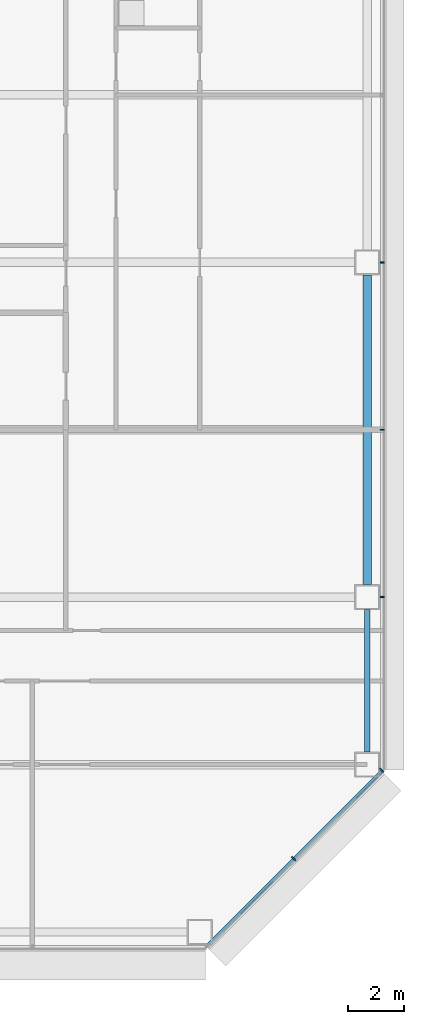
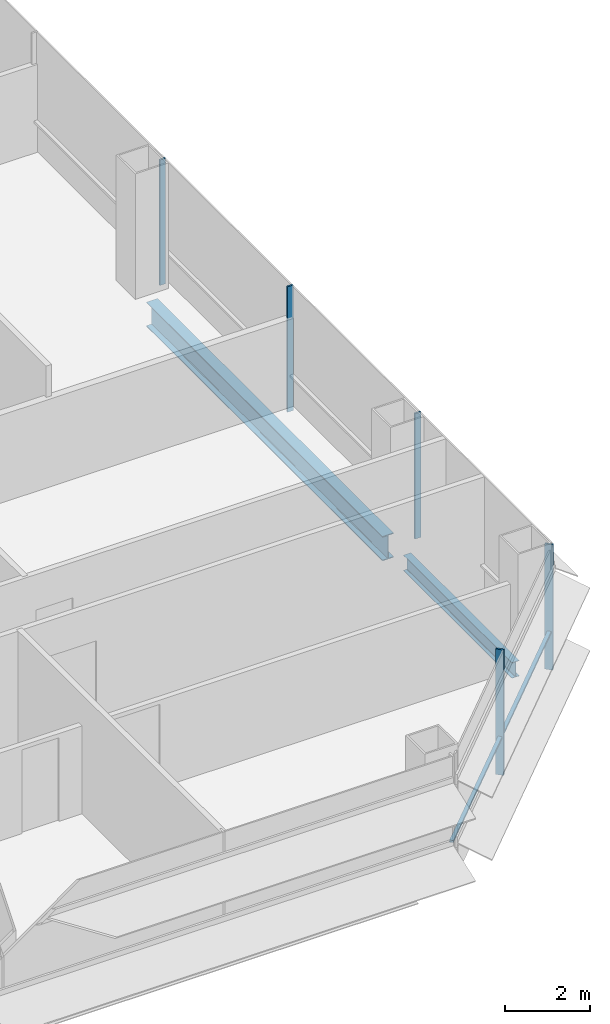
# One storey, part 16 of 28: 6 members, 2 beams, 2 elements without a shape of their own.
"""IFC4 building model written with IfcOpenShell, lengths in metres."""

from ifc_helpers import new_model, si_unit, direction, frame, origin, origin_2d, place, context, subcontext, project, spatial, rectangle, i_section, extrude, material, material_profile, profile_set, type_object, element, aggregate, save


model = new_model("IFC4")

# Units and contexts
model_context = context("Model", 3, precision=1e-05, world=origin(), true_north=direction((0.0, 1.0)))
body_context = subcontext(model_context, "Body", "Model", "MODEL_VIEW")
ifc_project = project(units=[si_unit("LENGTHUNIT", "METRE"), si_unit("AREAUNIT", "SQUARE_METRE"), si_unit("VOLUMEUNIT", "CUBIC_METRE"), si_unit("PLANEANGLEUNIT", "RADIAN"), si_unit("MASSUNIT", "GRAM", prefix="KILO")], contexts=[model_context])

# Site, building, storey
site_placement = place(None, origin())
site = spatial("IfcSite", under=ifc_project, at=site_placement, CompositionType="ELEMENT")
building_placement = place(site_placement, origin())
building = spatial("IfcBuilding", under=site, at=building_placement, Name="Sorahane Residences", CompositionType="ELEMENT")
storey_placement = place(building_placement, frame((0.0, 0.0, 60.60009765625)))
storey = spatial("IfcBuildingStorey", under=building, at=storey_placement, Name="L11", CompositionType="ELEMENT", Elevation=60.60009765625)

# Curtain wall, members
ifc_material_1 = material(Name="Dark low-e glass and black anodised aluminium", Category="aluminium")
curtain_wall_type_1 = type_object("IfcCurtainWallType", Name="Curtain wall CW-1 Typical unitised wall", PredefinedType="NOTDEFINED", material=ifc_material_1)
curtain_wall_1_placement = place(storey_placement, origin())
curtain_wall_1 = element("IfcCurtainWall", 1, at=curtain_wall_1_placement, inside=storey, type_object=curtain_wall_type_1, Name="CW-1 curtain wall L11 E1", PredefinedType="NOTDEFINED")
ifc_material_2 = material(Name="Black anodised aluminium", Category="aluminium")
ifc_material_profile_1 = material_profile(ifc_material_2, rectangle(XDim=0.159912109375, YDim=0.050048828125, at=origin_2d()), Name="Curtain wall mullion CW-1 black anodised aluminium 50x160")
ifc_profile_set_1 = profile_set([ifc_material_profile_1], Name="Black anodised aluminium")
member_type_1 = type_object("IfcMemberType", Name="Curtain wall mullion CW-1 black anodised aluminium 50x160", PredefinedType="MULLION", material=ifc_profile_set_1)
member_1_placement = place(storey_placement, frame((66.5400390625, 12.0, -0.18017578125), z_axis=(0.0, 0.0, 1.0), x_axis=(1.0, 0.0, 0.0)))
member_1 = element("IfcMember", 2, at=member_1_placement, type_object=member_type_1, Name="CW-1 mullion L11 E1.2", PredefinedType="MULLION", context=body_context, shape_type="SweptSolid", body=[
    extrude(rectangle(XDim=0.159912109375, YDim=0.050048828125, at=origin_2d()), origin(), (0.0, 0.0, 1.0), 3.60009765625),
])
member_2_placement = place(storey_placement, frame((66.5400390625, 18.0, -0.18017578125), z_axis=(0.0, 0.0, 1.0), x_axis=(1.0, 0.0, 0.0)))
member_2 = element("IfcMember", 3, at=member_2_placement, type_object=member_type_1, Name="CW-1 mullion L11 E1.3", PredefinedType="MULLION", context=body_context, shape_type="SweptSolid", body=[
    extrude(rectangle(XDim=0.159912109375, YDim=0.050048828125, at=origin_2d()), origin(), (0.0, 0.0, 1.0), 3.60009765625),
])
member_3_placement = place(storey_placement, frame((66.5400390625, 24.0, -0.18017578125), z_axis=(0.0, 0.0, 1.0), x_axis=(1.0, 0.0, 0.0)))
member_3 = element("IfcMember", 4, at=member_3_placement, type_object=member_type_1, Name="CW-1 mullion L11 E1.4", PredefinedType="MULLION", context=body_context, shape_type="SweptSolid", body=[
    extrude(rectangle(XDim=0.159912109375, YDim=0.050048828125, at=origin_2d()), origin(), (0.0, 0.0, 1.0), 3.60009765625),
])
aggregate(curtain_wall_1, [member_1, member_2, member_3])

ifc_material_3 = material(Name="Dark low-e glass and black anodised aluminium", Category="aluminium")
curtain_wall_type_2 = type_object("IfcCurtainWallType", Name="Curtain wall CW-2 Chamfer unitised wall", PredefinedType="NOTDEFINED", material=ifc_material_3)
curtain_wall_2_placement = place(storey_placement, origin())
curtain_wall_2 = element("IfcCurtainWall", 5, at=curtain_wall_2_placement, inside=storey, type_object=curtain_wall_type_2, Name="CW-2 curtain wall L11 SE1", PredefinedType="NOTDEFINED")
ifc_material_4 = material(Name="Black anodised aluminium", Category="aluminium")
ifc_material_profile_2 = material_profile(ifc_material_4, rectangle(XDim=0.199951171875, YDim=0.050048828125, at=origin_2d()), Name="Curtain wall mullion CW-2 black anodised aluminium 50x200")
ifc_profile_set_2 = profile_set([ifc_material_profile_2], Name="Black anodised aluminium")
member_type_2 = type_object("IfcMemberType", Name="Curtain wall mullion CW-2 black anodised aluminium 50x200", PredefinedType="MULLION", material=ifc_profile_set_2)
member_4_placement = place(storey_placement, frame((63.36767578125, 2.63232421875, -0.18017578125), z_axis=(0.0, 0.0, 1.0), x_axis=(0.707106781187, -0.707106781187, 0.0)))
member_4 = element("IfcMember", 6, at=member_4_placement, type_object=member_type_2, Name="CW-2 mullion L11 SE1.2", PredefinedType="MULLION", context=body_context, shape_type="SweptSolid", body=[
    extrude(rectangle(XDim=0.199951171875, YDim=0.050048828125, at=origin_2d()), origin(), (0.0, 0.0, 1.0), 3.60009765625),
])
member_5_placement = place(storey_placement, frame((66.525634765625, 5.790283203125, -0.18017578125), z_axis=(0.0, 0.0, 1.0), x_axis=(0.707106781187, -0.707106781187, 0.0)))
member_5 = element("IfcMember", 7, at=member_5_placement, type_object=member_type_2, Name="CW-2 mullion L11 SE1.3", PredefinedType="MULLION", context=body_context, shape_type="SweptSolid", body=[
    extrude(rectangle(XDim=0.199951171875, YDim=0.050048828125, at=origin_2d()), origin(), (0.0, 0.0, 1.0), 3.60009765625),
])
ifc_material_5 = material(Name="Black anodised aluminium", Category="aluminium")
ifc_material_profile_3 = material_profile(ifc_material_5, rectangle(XDim=0.10009765625, YDim=0.06005859375, at=origin_2d()), Name="Curtain wall transom CW-2 black anodised aluminium 60x100")
ifc_profile_set_3 = profile_set([ifc_material_profile_3], Name="Black anodised aluminium")
member_type_3 = type_object("IfcMemberType", Name="Curtain wall transom CW-2 black anodised aluminium 60x100", PredefinedType="USERDEFINED", material=ifc_profile_set_3)
member_6_placement = place(storey_placement, frame((60.234375, -0.51513671875, 0.89990234375), z_axis=(0.707106781187, 0.707106781187, 0.0), x_axis=(-0.707106781187, 0.707106781187, 0.0)))
member_6 = element("IfcMember", 8, at=member_6_placement, type_object=member_type_3, Name="CW-2 transom L11 SE1", ObjectType="TRANSOM", PredefinedType="USERDEFINED", context=body_context, shape_type="SweptSolid", body=[
    extrude(rectangle(XDim=0.10009765625, YDim=0.06005859375, at=origin_2d()), origin(), (0.0, 0.0, 1.0), 8.88232421875),
])
aggregate(curtain_wall_2, [member_4, member_5, member_6])

# Beams
ifc_material_6 = material(Name="Steel Q355B", Category="steel")
ifc_material_profile_4 = material_profile(ifc_material_6, i_section(OverallWidth=0.199951171875, OverallDepth=0.449951171875, WebThickness=0.009033203125, FlangeThickness=0.013916015625, FilletRadius=0.02001953125, at=origin_2d()), Name="HN 450x200x9x14")
ifc_profile_set_4 = profile_set([ifc_material_profile_4], Name="Steel Q355B")
beam_type_1 = type_object("IfcBeamType", Name="Steel floor beam HN 450x200x9x14 Q355B", PredefinedType="BEAM", material=ifc_profile_set_4)
beam_1_placement = place(storey_placement, frame((66.0, 6.449951171875, -0.405029296875), z_axis=(0.0, 1.0, 0.0), x_axis=(-1.0, 0.0, 0.0)))
element("IfcBeam", 9, at=beam_1_placement, inside=storey, type_object=beam_type_1, Name="Beam L11 056", PredefinedType="BEAM", context=body_context, shape_type="SweptSolid", body=[
    extrude(i_section(OverallWidth=0.199951171875, OverallDepth=0.449951171875, WebThickness=0.009033203125, FlangeThickness=0.013916015625, FilletRadius=0.02001953125, at=origin_2d()), origin(), (0.0, 0.0, 1.0), 5.10009765625),
])
ifc_material_7 = material(Name="Steel Q355B", Category="steel")
ifc_material_profile_5 = material_profile(ifc_material_7, i_section(OverallWidth=0.300048828125, OverallDepth=0.699951171875, WebThickness=0.012939453125, FlangeThickness=0.02392578125, FilletRadius=0.028076171875, at=origin_2d()), Name="HN 700x300x13x24")
ifc_profile_set_5 = profile_set([ifc_material_profile_5], Name="Steel Q355B")
beam_type_2 = type_object("IfcBeamType", Name="Steel floor beam HN 700x300x13x24 Q355B", PredefinedType="BEAM", material=ifc_profile_set_5)
beam_2_placement = place(storey_placement, frame((66.0, 12.449951171875, -0.530029296875), z_axis=(0.0, 1.0, 0.0), x_axis=(-1.0, 0.0, 0.0)))
element("IfcBeam", 10, at=beam_2_placement, inside=storey, type_object=beam_type_2, Name="Beam L11 057", PredefinedType="BEAM", context=body_context, shape_type="SweptSolid", body=[
    extrude(i_section(OverallWidth=0.300048828125, OverallDepth=0.699951171875, WebThickness=0.012939453125, FlangeThickness=0.02392578125, FilletRadius=0.028076171875, at=origin_2d()), origin(), (0.0, 0.0, 1.0), 11.10009765625),
])

save(model, "model.ifc")
